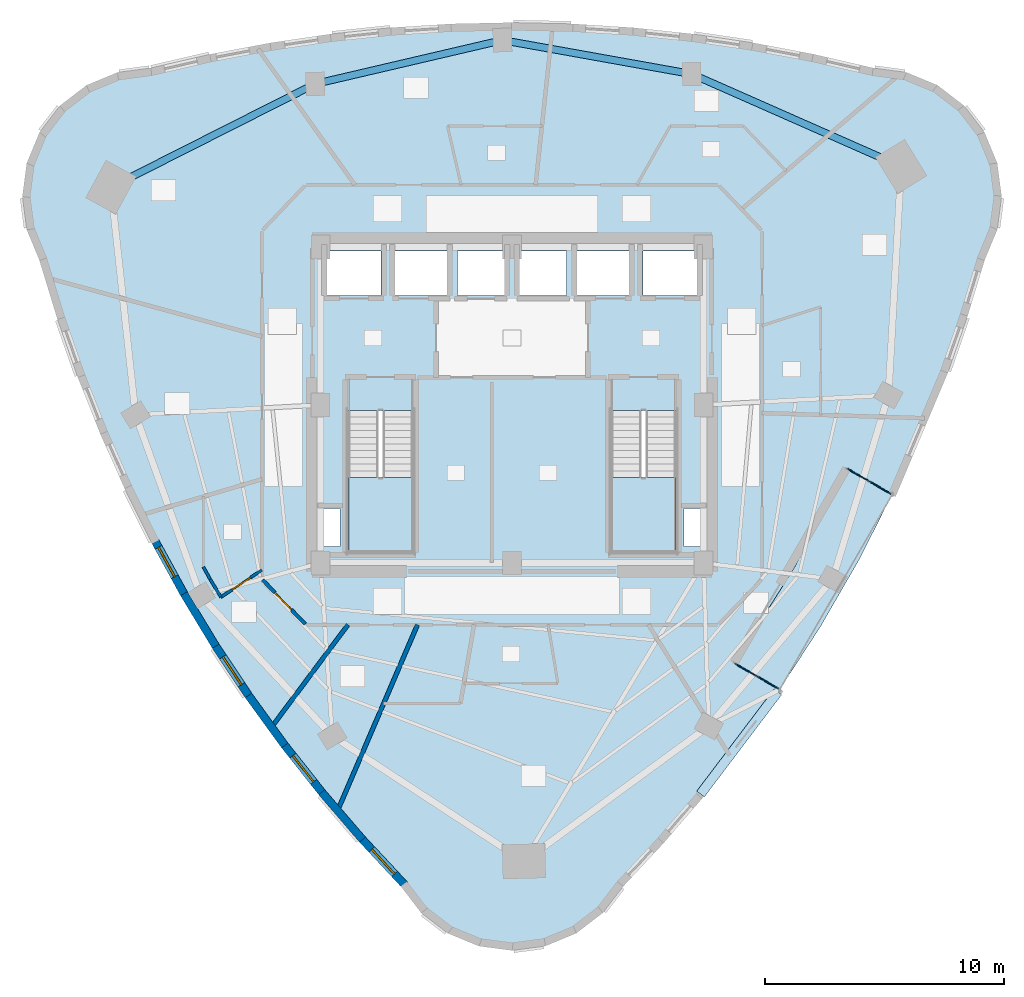
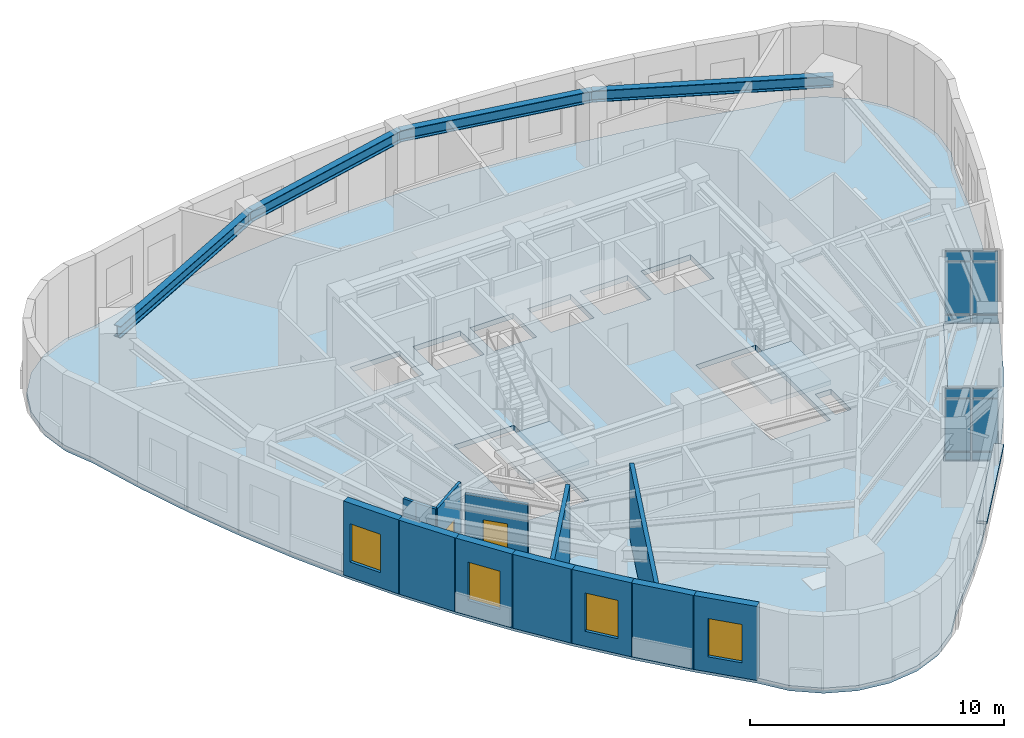
# One storey, part 5 of 12: 13 plates, 13 walls, 4 beams, 4 slabs, 4 windows, 2 doors, 6 openings, 4 elements without a shape of their own.
"""IFC4 building model written with IfcOpenShell, lengths in metres."""

from ifc_helpers import new_model, si_unit, direction, frame, frame_2d, origin, origin_2d, place, context, subcontext, project, spatial, polyline, rectangle, i_section, outline, extrude, material, layer, layer_set, material_profile, profile_set, type_object, element, fill, aggregate, save


model = new_model("IFC4")

# Units and contexts
model_context = context("Model", 3, precision=1e-05, world=origin(), true_north=direction((0.0, 1.0)))
body_context = subcontext(model_context, "Body", "Model", "MODEL_VIEW")
ifc_project = project(units=[si_unit("LENGTHUNIT", "METRE"), si_unit("AREAUNIT", "SQUARE_METRE"), si_unit("VOLUMEUNIT", "CUBIC_METRE"), si_unit("PLANEANGLEUNIT", "RADIAN"), si_unit("MASSUNIT", "GRAM", prefix="KILO")], contexts=[model_context])

# Site, building, storey
site_placement = place(None, origin())
site = spatial("IfcSite", under=ifc_project, at=site_placement, CompositionType="ELEMENT")
building_placement = place(site_placement, origin())
building = spatial("IfcBuilding", under=site, at=building_placement, Name="Ndelora Gate Hotel", CompositionType="ELEMENT")
storey_placement = place(building_placement, frame((0.0, 0.0, 209.35009765625)))
storey = spatial("IfcBuildingStorey", under=building, at=storey_placement, Name="L52", CompositionType="ELEMENT", Elevation=209.35009765625)

# Beams
ifc_material_1 = material(Name="Steel S355", Category="steel")
ifc_material_profile = material_profile(ifc_material_1, i_section(OverallWidth=0.300048828125, OverallDepth=0.550048828125, WebThickness=0.014892578125, FlangeThickness=0.029052734375, FilletRadius=0.027099609375, at=origin_2d()), Name="HEB 550")
ifc_profile_set = profile_set([ifc_material_profile], Name="Steel S355")
beam_type = type_object("IfcBeamType", Name="BM-RING-550", PredefinedType="SPANDREL", material=ifc_profile_set)
beam_1_placement = place(storey_placement, frame((16.26025390625, 9.96435546875, 3.27490234375), z_axis=(-0.914807449647, 0.403890245078, 0.0), x_axis=(-0.403890245078, -0.914807449647, 0.0)))
element("IfcBeam", 1, at=beam_1_placement, inside=storey, type_object=beam_type, Name="L52 Perimeter Spandrel Girder 9", PredefinedType="SPANDREL", context=body_context, shape_type="SweptSolid", body=[
    extrude(i_section(OverallWidth=0.300048828125, OverallDepth=0.550048828125, WebThickness=0.014892578125, FlangeThickness=0.029052734375, FilletRadius=0.027099609375, at=origin_2d()), origin(), (0.0, 0.0, 1.0), 9.56689453125),
])
for number, where, z_axis, x_axis, name in (
    (2, (7.50830078125, 13.828369140625, 3.27490234375), (-0.984373619655, 0.176092523767, 0.0), (-0.176092523767, -0.984373619655, 0.0), "L52 Perimeter Spandrel Girder 10"),
    (3, (-0.399169921875, 15.242919921875, 3.27490234375), (-0.973809142107, -0.227367004529, 0.0), (0.227367004529, -0.973809142107, 0.0), "L52 Perimeter Spandrel Girder 11"),
):
    element("IfcBeam", number, at=place(storey_placement, frame(where, z_axis=z_axis, x_axis=x_axis)), inside=storey, type_object=beam_type, Name=name, PredefinedType="SPANDREL", context=body_context, shape_type="SweptSolid", body=[
        extrude(i_section(OverallWidth=0.300048828125, OverallDepth=0.550048828125, WebThickness=0.014892578125, FlangeThickness=0.029052734375, FilletRadius=0.027099609375, at=origin_2d()), origin(), (0.0, 0.0, 1.0), 8.032958984375),
    ])
beam_2_placement = place(storey_placement, frame((-8.2216796875, 13.41650390625, 3.27490234375), z_axis=(-0.89241242978, -0.451220628045, 0.0), x_axis=(0.451220628045, -0.89241242978, 0.0)))
element("IfcBeam", 4, at=beam_2_placement, inside=storey, type_object=beam_type, Name="L52 Perimeter Spandrel Girder 12", PredefinedType="SPANDREL", context=body_context, shape_type="SweptSolid", body=[
    extrude(i_section(OverallWidth=0.300048828125, OverallDepth=0.550048828125, WebThickness=0.014892578125, FlangeThickness=0.029052734375, FilletRadius=0.027099609375, at=origin_2d()), origin(), (0.0, 0.0, 1.0), 9.567138671875),
])

# Curtain wall, plates
ifc_material_2 = material(Name="Bronze Anodised Unitised Aluminium and Low-E Glass", Category="aluminium")
ifc_layer_1 = layer(ifc_material_2, 0.199951171875)
ifc_layer_set_1 = layer_set([ifc_layer_1], Name="Bronze Anodised Unitised Aluminium and Low-E Glass")
curtain_wall_type = type_object("IfcCurtainWallType", Name="CW-SYS-3", PredefinedType="NOTDEFINED", material=ifc_layer_set_1)
curtain_wall_1_placement = place(storey_placement, origin())
curtain_wall_1 = element("IfcCurtainWall", 5, at=curtain_wall_1_placement, inside=storey, type_object=curtain_wall_type, Name="L52 Sky-Garden Loggia Side Curtain Wall CW3-1", PredefinedType="NOTDEFINED")
ifc_material_3 = material(Name="Solar-Control Low-E Insulated Glazing", Category="glass")
ifc_layer_2 = layer(ifc_material_3, 0.048095703125)
ifc_layer_set_2 = layer_set([ifc_layer_2], Name="Solar-Control Low-E Insulated Glazing")
plate_type_1 = type_object("IfcPlateType", Name="PL-CW-GLZ36", PredefinedType="CURTAIN_PANEL", material=ifc_layer_set_2)
plate_1_placement = place(storey_placement, frame((9.77099609375, -11.068359375, 0.05908203125), z_axis=(0.0, 0.0, 1.0), x_axis=(0.866030416344, -0.499991317892, 0.0)))
plate_1 = element("IfcPlate", 6, at=plate_1_placement, type_object=plate_type_1, Name="CW3 panel 1.1", PredefinedType="CURTAIN_PANEL", context=body_context, shape_type="SweptSolid", body=[
    extrude(rectangle(XDim=1.014404296875, YDim=0.048095703125, at=origin_2d()), origin(), (0.0, 0.0, 1.0), 0.364501953125),
])
plate_2_placement = place(storey_placement, frame((9.77099609375, -11.068359375, 0.476318359375), z_axis=(0.0, 0.0, 1.0), x_axis=(0.866030416344, -0.499991317892, 0.0)))
plate_2 = element("IfcPlate", 7, at=plate_2_placement, type_object=plate_type_1, Name="CW3 panel 1.2", PredefinedType="CURTAIN_PANEL", context=body_context, shape_type="SweptSolid", body=[
    extrude(rectangle(XDim=1.014404296875, YDim=0.048095703125, at=origin_2d()), origin(), (0.0, 0.0, 1.0), 2.4970703125),
])
plate_3_placement = place(storey_placement, frame((9.77099609375, -11.068359375, 3.0263671875), z_axis=(0.0, 0.0, 1.0), x_axis=(0.866030416344, -0.499991317892, 0.0)))
plate_3 = element("IfcPlate", 8, at=plate_3_placement, type_object=plate_type_1, Name="CW3 panel 1.3", PredefinedType="CURTAIN_PANEL", context=body_context, shape_type="SweptSolid", body=[
    extrude(rectangle(XDim=1.014404296875, YDim=0.048095703125, at=origin_2d()), origin(), (0.0, 0.0, 1.0), 0.464599609375),
])
plate_4_placement = place(storey_placement, frame((10.695556640625, -11.602294921875, 0.05908203125), z_axis=(0.0, 0.0, 1.0), x_axis=(0.866030416344, -0.499991317892, 0.0)))
plate_4 = element("IfcPlate", 9, at=plate_4_placement, type_object=plate_type_1, Name="CW3 panel 2.1", PredefinedType="CURTAIN_PANEL", context=body_context, shape_type="SweptSolid", body=[
    extrude(rectangle(XDim=1.014404296875, YDim=0.048095703125, at=origin_2d()), origin(), (0.0, 0.0, 1.0), 0.364501953125),
])
plate_5_placement = place(storey_placement, frame((10.695556640625, -11.602294921875, 0.476318359375), z_axis=(0.0, 0.0, 1.0), x_axis=(0.866030416344, -0.499991317892, 0.0)))
plate_5 = element("IfcPlate", 10, at=plate_5_placement, type_object=plate_type_1, Name="CW3 panel 2.2", PredefinedType="CURTAIN_PANEL", context=body_context, shape_type="SweptSolid", body=[
    extrude(rectangle(XDim=1.014404296875, YDim=0.048095703125, at=origin_2d()), origin(), (0.0, 0.0, 1.0), 2.4970703125),
])
plate_6_placement = place(storey_placement, frame((10.695556640625, -11.602294921875, 3.0263671875), z_axis=(0.0, 0.0, 1.0), x_axis=(0.866030416344, -0.499991317892, 0.0)))
plate_6 = element("IfcPlate", 11, at=plate_6_placement, type_object=plate_type_1, Name="CW3 panel 2.3", PredefinedType="CURTAIN_PANEL", context=body_context, shape_type="SweptSolid", body=[
    extrude(rectangle(XDim=1.014404296875, YDim=0.048095703125, at=origin_2d()), origin(), (0.0, 0.0, 1.0), 0.464599609375),
])
aggregate(curtain_wall_1, [plate_1, plate_2, plate_3, plate_4, plate_5, plate_6])

curtain_wall_2_placement = place(storey_placement, origin())
curtain_wall_2 = element("IfcCurtainWall", 12, at=curtain_wall_2_placement, inside=storey, type_object=curtain_wall_type, Name="L52 Sky-Garden Loggia Side Curtain Wall CW3-2", PredefinedType="NOTDEFINED")
plate_7_placement = place(storey_placement, frame((15.3955078125, -3.46142578125, 0.05908203125), z_axis=(0.0, 0.0, 1.0), x_axis=(-0.866030416344, 0.499991317892, 0.0)))
plate_7 = element("IfcPlate", 13, at=plate_7_placement, type_object=plate_type_1, Name="CW3 panel 1.1", PredefinedType="CURTAIN_PANEL", context=body_context, shape_type="SweptSolid", body=[
    extrude(rectangle(XDim=1.014404296875, YDim=0.048095703125, at=origin_2d()), origin(), (0.0, 0.0, 1.0), 0.364501953125),
])
plate_8_placement = place(storey_placement, frame((15.3955078125, -3.46142578125, 0.476318359375), z_axis=(0.0, 0.0, 1.0), x_axis=(-0.866030416344, 0.499991317892, 0.0)))
plate_8 = element("IfcPlate", 14, at=plate_8_placement, type_object=plate_type_1, Name="CW3 panel 1.2", PredefinedType="CURTAIN_PANEL", context=body_context, shape_type="SweptSolid", body=[
    extrude(rectangle(XDim=1.014404296875, YDim=0.048095703125, at=origin_2d()), origin(), (0.0, 0.0, 1.0), 2.4970703125),
])
plate_9_placement = place(storey_placement, frame((15.3955078125, -3.46142578125, 3.0263671875), z_axis=(0.0, 0.0, 1.0), x_axis=(-0.866030416344, 0.499991317892, 0.0)))
plate_9 = element("IfcPlate", 15, at=plate_9_placement, type_object=plate_type_1, Name="CW3 panel 1.3", PredefinedType="CURTAIN_PANEL", context=body_context, shape_type="SweptSolid", body=[
    extrude(rectangle(XDim=1.014404296875, YDim=0.048095703125, at=origin_2d()), origin(), (0.0, 0.0, 1.0), 0.464599609375),
])
plate_10_placement = place(storey_placement, frame((14.470947265625, -2.927734375, 0.05908203125), z_axis=(0.0, 0.0, 1.0), x_axis=(-0.866030416344, 0.499991317892, 0.0)))
plate_10 = element("IfcPlate", 16, at=plate_10_placement, type_object=plate_type_1, Name="CW3 panel 2.1", PredefinedType="CURTAIN_PANEL", context=body_context, shape_type="SweptSolid", body=[
    extrude(rectangle(XDim=1.014404296875, YDim=0.048095703125, at=origin_2d()), origin(), (0.0, 0.0, 1.0), 0.364501953125),
])
plate_11_placement = place(storey_placement, frame((14.470947265625, -2.927734375, 0.476318359375), z_axis=(0.0, 0.0, 1.0), x_axis=(-0.866030416344, 0.499991317892, 0.0)))
plate_11 = element("IfcPlate", 17, at=plate_11_placement, type_object=plate_type_1, Name="CW3 panel 2.2", PredefinedType="CURTAIN_PANEL", context=body_context, shape_type="SweptSolid", body=[
    extrude(rectangle(XDim=1.014404296875, YDim=0.048095703125, at=origin_2d()), origin(), (0.0, 0.0, 1.0), 2.4970703125),
])
plate_12_placement = place(storey_placement, frame((14.470947265625, -2.927734375, 3.0263671875), z_axis=(0.0, 0.0, 1.0), x_axis=(-0.866030416344, 0.499991317892, 0.0)))
plate_12 = element("IfcPlate", 18, at=plate_12_placement, type_object=plate_type_1, Name="CW3 panel 2.3", PredefinedType="CURTAIN_PANEL", context=body_context, shape_type="SweptSolid", body=[
    extrude(rectangle(XDim=1.014404296875, YDim=0.048095703125, at=origin_2d()), origin(), (0.0, 0.0, 1.0), 0.464599609375),
])
aggregate(curtain_wall_2, [plate_7, plate_8, plate_9, plate_10, plate_11, plate_12])

# Plate
ifc_material_4 = material(Name="Precast concrete C40/50", Category="concrete")
ifc_layer_3 = layer(ifc_material_4, 0.125)
ifc_layer_set_3 = layer_set([ifc_layer_3], Name="Precast concrete C40/50")
plate_type_2 = type_object("IfcPlateType", Name="PL-SILL-120", PredefinedType="USERDEFINED", material=ifc_layer_set_3)
plate_13_placement = place(storey_placement, frame((9.494384765625, -14.120849609375, 0.787353515625), z_axis=(0.0, 0.0, 1.0), x_axis=(0.603347183213, 0.797478637023, 0.0)))
element("IfcPlate", 19, at=plate_13_placement, inside=storey, type_object=plate_type_2, Name="L52 Streamline Precast Ribbon Sill 31", ObjectType="RIBBON_SILL", PredefinedType="USERDEFINED", context=body_context, shape_type="SweptSolid", body=[
    extrude(rectangle(XDim=5.35693359375, YDim=0.39990234375, at=origin_2d()), origin(), (0.0, 0.0, 1.0), 0.125),
])

# Stair, slab
stair_type = type_object("IfcStairType", Name="STR-DOG-CORE", PredefinedType="HALF_TURN_STAIR", material=ifc_material_4)
stair_1_placement = place(storey_placement, origin())
stair_1 = element("IfcStair", 20, at=stair_1_placement, inside=storey, type_object=stair_type, Name="L52 Protected Core Exit Stair ST4", PredefinedType="HALF_TURN_STAIR")
ifc_layer_4 = layer(ifc_material_4, 0.219970703125)
ifc_layer_set_4 = layer_set([ifc_layer_4], Name="Precast concrete C40/50")
slab_type_1 = type_object("IfcSlabType", Name="SL-LAND-220", PredefinedType="LANDING", material=ifc_layer_set_4)
slab_1_placement = place(storey_placement, frame((0.0, 0.0, 1.699951171875)))
slab_1 = element("IfcSlab", 21, at=slab_1_placement, type_object=slab_type_1, Name="ST4 landing 1", PredefinedType="LANDING", context=body_context, shape_type="SweptSolid", body=[
    extrude(outline(polyline([(-6.85009765625, -3.030029296875), (-6.85009765625, -6.14990234375), (-4.1298828125, -6.14990234375), (-4.1298828125, -3.030029296875), (-6.85009765625, -3.030029296875)])), origin(), (0.0, 0.0, 1.0), 0.199951171875),
])
aggregate(stair_1, [slab_1])

stair_2_placement = place(storey_placement, origin())
stair_2 = element("IfcStair", 22, at=stair_2_placement, inside=storey, type_object=stair_type, Name="L52 Protected Core Exit Stair ST5", PredefinedType="HALF_TURN_STAIR")
slab_2_placement = place(storey_placement, frame((0.0, 0.0, 1.699951171875)))
slab_2 = element("IfcSlab", 23, at=slab_2_placement, type_object=slab_type_1, Name="ST5 landing 1", PredefinedType="LANDING", context=body_context, shape_type="SweptSolid", body=[
    extrude(outline(polyline([(4.1298828125, -3.030029296875), (4.1298828125, -6.14990234375), (6.85009765625, -6.14990234375), (6.85009765625, -3.030029296875), (4.1298828125, -3.030029296875)])), origin(), (0.0, 0.0, 1.0), 0.199951171875),
])
aggregate(stair_2, [slab_2])

# Slabs
ifc_layer_5 = layer(ifc_material_4, 0.239990234375)
ifc_layer_set_5 = layer_set([ifc_layer_5], Name="Precast concrete C40/50")
slab_type_2 = type_object("IfcSlabType", Name="SL-TER-240", PredefinedType="FLOOR", material=ifc_layer_set_5)
slab_3_placement = place(storey_placement, frame((0.0, 0.0, -0.239990234375)))
element("IfcSlab", 24, at=slab_3_placement, inside=storey, type_object=slab_type_2, Name="L52 Sky Garden Loggia Terrace Slab", PredefinedType="FLOOR", context=body_context, shape_type="SweptSolid", body=[
    extrude(outline(polyline([(9.280517578125, -10.785400390625), (11.185791015625, -11.88525390625), (12.8779296875, -9.2802734375), (14.47607421875, -6.512451171875), (15.885986328125, -3.74462890625), (13.980712890625, -2.64453125), (11.790283203125, -6.80712890625), (9.280517578125, -10.785400390625)])), origin(), (0.0, 0.0, 1.0), 0.239990234375),
])
ifc_material_5 = material(Name="Concrete C40/50", Category="concrete")
ifc_layer_6 = layer(ifc_material_5, 0.25)
ifc_layer_set_6 = layer_set([ifc_layer_6], Name="Concrete C40/50")
slab_type_3 = type_object("IfcSlabType", Name="SL-TWR-250", PredefinedType="FLOOR", material=ifc_layer_set_6)
slab_4_placement = place(storey_placement, frame((0.0, 0.0, -0.25)))
element("IfcSlab", 25, at=slab_4_placement, inside=storey, type_object=slab_type_3, Name="L52 Structural Floor Slab", PredefinedType="FLOOR", context=body_context, shape_type="SweptSolid", body=[
    extrude(outline(polyline([(-15.09326171875, 13.9140625), (-16.439208984375, 13.737060546875), (-17.693359375, 13.217529296875), (-18.770263671875, 12.39111328125), (-19.5966796875, 11.314208984375), (-20.1162109375, 10.06005859375), (-20.293212890625, 8.714111328125), (-20.1162109375, 7.368408203125), (-19.5966796875, 6.114013671875), (-18.841796875, 3.645263671875), (-17.9951171875, 1.229248046875), (-17.057373046875, -1.134033203125), (-16.0283203125, -3.4443359375), (-14.907470703125, -5.7021484375), (-13.6953125, -7.906982421875), (-12.39208984375, -10.05908203125), (-10.9970703125, -12.15869140625), (-9.5107421875, -14.205078125), (-7.93310546875, -16.198974609375), (-6.263916015625, -18.139892578125), (-4.50341796875, -20.0283203125), (-3.677001953125, -21.105224609375), (-2.60009765625, -21.931640625), (-1.345947265625, -22.451171875), (0.0, -22.62841796875), (1.345947265625, -22.451171875), (2.60009765625, -21.931640625), (3.677001953125, -21.105224609375), (4.50341796875, -20.0283203125), (6.1953125, -18.216552734375), (7.802978515625, -16.356201171875), (11.185791015625, -11.88525390625), (9.280517578125, -10.785400390625), (11.790283203125, -6.80712890625), (13.980712890625, -2.64453125), (15.885986328125, -3.74462890625), (18.06640625, 1.420654296875), (18.87353515625, 3.7431640625), (19.5966796875, 6.114013671875), (20.1162109375, 7.368408203125), (20.293212890625, 8.714111328125), (20.1162109375, 10.06005859375), (19.5966796875, 11.314208984375), (18.770263671875, 12.39111328125), (17.693359375, 13.217529296875), (16.439208984375, 13.737060546875), (15.09326171875, 13.9140625), (12.577880859375, 14.49462890625), (10.062255859375, 14.9697265625), (7.546630859375, 15.339111328125), (5.031005859375, 15.60302734375), (2.515625, 15.761474609375), (0.0, 15.814208984375), (-2.515625, 15.761474609375), (-5.031005859375, 15.60302734375), (-7.546630859375, 15.339111328125), (-10.062255859375, 14.9697265625), (-12.577880859375, 14.49462890625), (-15.09326171875, 13.9140625)]), holes=[polyline([(-6.85009765625, -0.22998046875), (-6.85009765625, -6.14990234375), (-4.1298828125, -6.14990234375), (-4.1298828125, -0.22998046875), (-6.85009765625, -0.22998046875)]), polyline([(4.1298828125, -0.22998046875), (4.1298828125, -6.14990234375), (6.85009765625, -6.14990234375), (6.85009765625, -0.22998046875), (4.1298828125, -0.22998046875)]), polyline([(-7.72998046875, 4.570068359375), (-5.469970703125, 4.570068359375), (-5.469970703125, 6.429931640625), (-7.72998046875, 6.429931640625), (-7.72998046875, 4.570068359375)]), polyline([(5.469970703125, 4.570068359375), (7.72998046875, 4.570068359375), (7.72998046875, 6.429931640625), (5.469970703125, 6.429931640625), (5.469970703125, 4.570068359375)]), polyline([(-4.8798828125, 4.570068359375), (-2.719970703125, 4.570068359375), (-2.719970703125, 6.429931640625), (-4.8798828125, 6.429931640625), (-4.8798828125, 4.570068359375)]), polyline([(2.719970703125, 4.570068359375), (4.8798828125, 4.570068359375), (4.8798828125, 6.429931640625), (2.719970703125, 6.429931640625), (2.719970703125, 4.570068359375)]), polyline([(-2.280029296875, 4.570068359375), (-0.320068359375, 4.570068359375), (-0.320068359375, 6.429931640625), (-2.280029296875, 6.429931640625), (-2.280029296875, 4.570068359375)]), polyline([(0.320068359375, 4.570068359375), (2.280029296875, 4.570068359375), (2.280029296875, 6.429931640625), (0.320068359375, 6.429931640625), (0.320068359375, 4.570068359375)]), polyline([(-7.89990234375, -5.919921875), (-7.179931640625, -5.919921875), (-7.179931640625, -4.320068359375), (-7.89990234375, -4.320068359375), (-7.89990234375, -5.919921875)]), polyline([(7.179931640625, -5.919921875), (7.89990234375, -5.919921875), (7.89990234375, -4.320068359375), (7.179931640625, -4.320068359375), (7.179931640625, -5.919921875)])]), origin(), (0.0, 0.0, 1.0), 0.25),
])

# Walls
ifc_material_6 = material(Name="Acoustic Double-Stud Gypsum Assembly", Category="gypsum")
ifc_layer_7 = layer(ifc_material_6, 0.179931640625)
ifc_layer_set_7 = layer_set([ifc_layer_7], Name="Acoustic Double-Stud Gypsum Assembly")
wall_type_1 = type_object("IfcWallType", Name="WL-ACOUST-180", PredefinedType="PARTITIONING", material=ifc_layer_set_7)
wall_1_placement = place(storey_placement, frame((-6.851318359375, -9.179931640625, 0.0), z_axis=(0.0, 0.0, 1.0), x_axis=(-0.598105864396, -0.801417104244, 0.0)))
element("IfcWall", 26, at=wall_1_placement, inside=storey, type_object=wall_type_1, Name="L52 Interior Wall IW-3", PredefinedType="PARTITIONING", context=body_context, shape_type="SweptSolid", body=[
    extrude(rectangle(XDim=5.345947265625, YDim=0.179931640625, at=frame_2d((2.6728515625, 0.0))), origin(), (0.0, 0.0, 1.0), 3.5498046875),
])
wall_2_placement = place(storey_placement, frame((-3.947021484375, -9.179931640625, 0.0), z_axis=(0.0, 0.0, 1.0), x_axis=(-0.394985116266, -0.918687519197, 0.0)))
element("IfcWall", 27, at=wall_2_placement, inside=storey, type_object=wall_type_1, Name="L52 Interior Wall IW-3", PredefinedType="PARTITIONING", context=body_context, shape_type="SweptSolid", body=[
    extrude(rectangle(XDim=8.45751953125, YDim=0.179931640625, at=frame_2d((4.228759765625, 0.0))), origin(), (0.0, 0.0, 1.0), 3.5498046875),
])

# Wall, opening, window
ifc_material_7 = material(Name="Clay Brick Masonry", Category="masonry")
ifc_layer_8 = layer(ifc_material_7, 0.330078125)
ifc_layer_set_8 = layer_set([ifc_layer_8], Name="Clay Brick Masonry")
wall_type_2 = type_object("IfcWallType", Name="WL-BRICK-330", PredefinedType="SOLIDWALL", material=ifc_layer_set_8)
wall_3_placement = place(storey_placement, frame((-13.683349609375, -7.928955078125, 0.0), z_axis=(0.0, 0.0, 1.0), x_axis=(-0.481695948565, 0.87633841245, 0.0)))
wall_3 = element("IfcWall", 28, at=wall_3_placement, inside=storey, type_object=wall_type_2, Name="L52 Tower Brick Pier-and-Spandrel Wall TWR-14", PredefinedType="SOLIDWALL", context=body_context, shape_type="SweptSolid", body=[
    extrude(rectangle(XDim=2.566162109375, YDim=0.330078125, at=frame_2d((1.283203125, 0.0))), origin(), (0.0, 0.0, 1.0), 3.5498046875),
])
opening_1_placement = place(wall_3_placement, frame((0.860107421875, 0.0, 0.719970703125)))
opening_1 = element("IfcOpeningElement", 29, at=opening_1_placement, cuts=wall_3, Name="Opening W02", PredefinedType="OPENING", context=body_context, shape_type="SweptSolid", body=[
    extrude(rectangle(XDim=1.39990234375, YDim=1.840087890625, at=frame_2d((0.699951171875, 0.919921875))), frame((0.0, 0.175048828125, 0.0), z_axis=(0.0, -1.0, 0.0), x_axis=(1.0, 0.0, 0.0)), (0.0, 0.0, 1.0), 0.35009765625),
])
ifc_material_8 = material(Name="Insulated Low-E Double Glazing in Bronze Aluminium Frame", Category="aluminium")
window_type = type_object("IfcWindowType", Name="WN-DEEP-1400", PartitioningType="SINGLE_PANEL", PredefinedType="WINDOW", material=ifc_material_8)
window_1_placement = place(opening_1_placement, origin())
window_1 = element("IfcWindow", 30, at=window_1_placement, inside=storey, type_object=window_type, Name="L52 Deep-Set Brick-Pier Window W02", OverallHeight=1.840087890625, OverallWidth=1.39990234375, PartitioningType="SINGLE_PANEL", PredefinedType="WINDOW", context=body_context, shape_type="SweptSolid", body=[
    extrude(rectangle(XDim=1.39990234375, YDim=1.840087890625, at=frame_2d((0.699951171875, 0.919921875))), frame((0.0, 0.030029296875, 0.0), z_axis=(0.0, -1.0, 0.0), x_axis=(1.0, 0.0, 0.0)), (0.0, 0.0, 1.0), 0.06005859375),
])
fill(opening_1, window_1)

# Wall
wall_4_placement = place(storey_placement, frame((-12.37890625, -10.08056640625, 0.0), z_axis=(0.0, 0.0, 1.0), x_axis=(-0.518128806216, 0.855302601521, 0.0)))
element("IfcWall", 31, at=wall_4_placement, inside=storey, type_object=wall_type_2, Name="L52 Tower Brick Pier-and-Spandrel Wall TWR-15", PredefinedType="SOLIDWALL", context=body_context, shape_type="SweptSolid", body=[
    extrude(rectangle(XDim=2.566162109375, YDim=0.330078125, at=frame_2d((1.283203125, 0.0))), origin(), (0.0, 0.0, 1.0), 3.5498046875),
])

# Wall, opening, window
wall_5_placement = place(storey_placement, frame((-10.9833984375, -12.179443359375, 0.0), z_axis=(0.0, 0.0, 1.0), x_axis=(-0.553340543582, 0.832955126539, 0.0)))
wall_5 = element("IfcWall", 32, at=wall_5_placement, inside=storey, type_object=wall_type_2, Name="L52 Tower Brick Pier-and-Spandrel Wall TWR-16", PredefinedType="SOLIDWALL", context=body_context, shape_type="SweptSolid", body=[
    extrude(rectangle(XDim=2.570556640625, YDim=0.330078125, at=frame_2d((1.28515625, 0.0))), origin(), (0.0, 0.0, 1.0), 3.5498046875),
])
opening_2_placement = place(wall_5_placement, frame((0.585205078125, 0.0, 0.719970703125)))
opening_2 = element("IfcOpeningElement", 33, at=opening_2_placement, cuts=wall_5, Name="Opening W02", PredefinedType="OPENING", context=body_context, shape_type="SweptSolid", body=[
    extrude(rectangle(XDim=1.39990234375, YDim=1.840087890625, at=frame_2d((0.699951171875, 0.919921875))), frame((0.0, 0.175048828125, 0.0), z_axis=(0.0, -1.0, 0.0), x_axis=(1.0, 0.0, 0.0)), (0.0, 0.0, 1.0), 0.35009765625),
])
window_2_placement = place(opening_2_placement, origin())
window_2 = element("IfcWindow", 34, at=window_2_placement, inside=storey, type_object=window_type, Name="L52 Deep-Set Brick-Pier Window W02", OverallHeight=1.840087890625, OverallWidth=1.39990234375, PartitioningType="SINGLE_PANEL", PredefinedType="WINDOW", context=body_context, shape_type="SweptSolid", body=[
    extrude(rectangle(XDim=1.39990234375, YDim=1.840087890625, at=frame_2d((0.699951171875, 0.919921875))), frame((0.0, 0.030029296875, 0.0), z_axis=(0.0, -1.0, 0.0), x_axis=(1.0, 0.0, 0.0)), (0.0, 0.0, 1.0), 0.06005859375),
])
fill(opening_2, window_2)

# Wall
wall_6_placement = place(storey_placement, frame((-9.49609375, -14.225341796875, 0.0), z_axis=(0.0, 0.0, 1.0), x_axis=(-0.587631253471, 0.809128858677, 0.0)))
element("IfcWall", 35, at=wall_6_placement, inside=storey, type_object=wall_type_2, Name="L52 Tower Brick Pier-and-Spandrel Wall TWR-17", PredefinedType="SOLIDWALL", context=body_context, shape_type="SweptSolid", body=[
    extrude(rectangle(XDim=2.5791015625, YDim=0.330078125, at=frame_2d((1.28955078125, 0.0))), origin(), (0.0, 0.0, 1.0), 3.5498046875),
])

# Wall, opening, window
wall_7_placement = place(storey_placement, frame((-7.91748046875, -16.218505859375, 0.0), z_axis=(0.0, 0.0, 1.0), x_axis=(-0.62057509915, 0.784147018304, 0.0)))
wall_7 = element("IfcWall", 36, at=wall_7_placement, inside=storey, type_object=wall_type_2, Name="L52 Tower Brick Pier-and-Spandrel Wall TWR-18", PredefinedType="SOLIDWALL", context=body_context, shape_type="SweptSolid", body=[
    extrude(rectangle(XDim=2.592529296875, YDim=0.330078125, at=frame_2d((1.29638671875, 0.0))), origin(), (0.0, 0.0, 1.0), 3.5498046875),
])
opening_3_placement = place(wall_7_placement, frame((0.59619140625, 0.0, 0.719970703125)))
opening_3 = element("IfcOpeningElement", 37, at=opening_3_placement, cuts=wall_7, Name="Opening W02", PredefinedType="OPENING", context=body_context, shape_type="SweptSolid", body=[
    extrude(rectangle(XDim=1.39990234375, YDim=1.840087890625, at=frame_2d((0.699951171875, 0.919921875))), frame((0.0, 0.175048828125, 0.0), z_axis=(0.0, -1.0, 0.0), x_axis=(1.0, 0.0, 0.0)), (0.0, 0.0, 1.0), 0.35009765625),
])
window_3_placement = place(opening_3_placement, origin())
window_3 = element("IfcWindow", 38, at=window_3_placement, inside=storey, type_object=window_type, Name="L52 Deep-Set Brick-Pier Window W02", OverallHeight=1.840087890625, OverallWidth=1.39990234375, PartitioningType="SINGLE_PANEL", PredefinedType="WINDOW", context=body_context, shape_type="SweptSolid", body=[
    extrude(rectangle(XDim=1.39990234375, YDim=1.840087890625, at=frame_2d((0.699951171875, 0.919921875))), frame((0.0, 0.030029296875, 0.0), z_axis=(0.0, -1.0, 0.0), x_axis=(1.0, 0.0, 0.0)), (0.0, 0.0, 1.0), 0.06005859375),
])
fill(opening_3, window_3)

# Wall
wall_8_placement = place(storey_placement, frame((-6.24755859375, -18.158935546875, 0.0), z_axis=(0.0, 0.0, 1.0), x_axis=(-0.651976891987, 0.758238835932, 0.0)))
element("IfcWall", 39, at=wall_8_placement, inside=storey, type_object=wall_type_2, Name="L52 Tower Brick Pier-and-Spandrel Wall TWR-19", PredefinedType="SOLIDWALL", context=body_context, shape_type="SweptSolid", body=[
    extrude(rectangle(XDim=2.610107421875, YDim=0.330078125, at=frame_2d((1.30517578125, 0.0))), origin(), (0.0, 0.0, 1.0), 3.5498046875),
])

# Wall, opening, window
wall_9_placement = place(storey_placement, frame((-4.486328125, -20.046630859375, 0.0), z_axis=(0.0, 0.0, 1.0), x_axis=(-0.68190500199, 0.731440748291, 0.0)))
wall_9 = element("IfcWall", 40, at=wall_9_placement, inside=storey, type_object=wall_type_2, Name="L52 Tower Brick Pier-and-Spandrel Wall TWR-20", PredefinedType="SOLIDWALL", context=body_context, shape_type="SweptSolid", body=[
    extrude(rectangle(XDim=2.6318359375, YDim=0.330078125, at=frame_2d((1.31591796875, 0.0))), origin(), (0.0, 0.0, 1.0), 3.5498046875),
])
opening_4_placement = place(wall_9_placement, frame((0.615966796875, 0.0, 0.719970703125)))
opening_4 = element("IfcOpeningElement", 41, at=opening_4_placement, cuts=wall_9, Name="Opening W02", PredefinedType="OPENING", context=body_context, shape_type="SweptSolid", body=[
    extrude(rectangle(XDim=1.39990234375, YDim=1.840087890625, at=frame_2d((0.699951171875, 0.919921875))), frame((0.0, 0.175048828125, 0.0), z_axis=(0.0, -1.0, 0.0), x_axis=(1.0, 0.0, 0.0)), (0.0, 0.0, 1.0), 0.35009765625),
])
window_4_placement = place(opening_4_placement, origin())
window_4 = element("IfcWindow", 42, at=window_4_placement, inside=storey, type_object=window_type, Name="L52 Deep-Set Brick-Pier Window W02", OverallHeight=1.840087890625, OverallWidth=1.39990234375, PartitioningType="SINGLE_PANEL", PredefinedType="WINDOW", context=body_context, shape_type="SweptSolid", body=[
    extrude(rectangle(XDim=1.39990234375, YDim=1.840087890625, at=frame_2d((0.699951171875, 0.919921875))), frame((0.0, 0.030029296875, 0.0), z_axis=(0.0, -1.0, 0.0), x_axis=(1.0, 0.0, 0.0)), (0.0, 0.0, 1.0), 0.06005859375),
])
fill(opening_4, window_4)

# Wall, opening, door
ifc_material_9 = material(Name="Fire-Rated Gypsum Stud Partition", Category="gypsum")
ifc_layer_9 = layer(ifc_material_9, 0.14990234375)
ifc_layer_set_9 = layer_set([ifc_layer_9], Name="Fire-Rated Gypsum Stud Partition")
wall_type_3 = type_object("IfcWallType", Name="WL-PART-150", PredefinedType="PARTITIONING", material=ifc_layer_set_9)
wall_10_placement = place(storey_placement, frame((-8.647705078125, -9.151123046875, 0.0), z_axis=(0.0, 0.0, 1.0), x_axis=(-0.693764562202, 0.720201869085, 0.0)))
wall_10 = element("IfcWall", 43, at=wall_10_placement, inside=storey, type_object=wall_type_3, Name="L52 Interior Wall IW-5", PredefinedType="PARTITIONING", context=body_context, shape_type="SweptSolid", body=[
    extrude(rectangle(XDim=2.55810546875, YDim=0.14990234375, at=frame_2d((1.279052734375, 0.0))), origin(), (0.0, 0.0, 1.0), 3.22998046875),
])
opening_5_placement = place(wall_10_placement, frame((0.819091796875, 0.0, 0.0)))
opening_5 = element("IfcOpeningElement", 44, at=opening_5_placement, cuts=wall_10, Name="Opening D01", PredefinedType="OPENING", context=body_context, shape_type="SweptSolid", body=[
    extrude(rectangle(XDim=1.0, YDim=2.14990234375, at=frame_2d((0.5, 1.074951171875))), frame((0.0, 0.0849609375, 0.0), z_axis=(0.0, -1.0, 0.0), x_axis=(1.0, 0.0, 0.0)), (0.0, 0.0, 1.0), 0.169921875),
])
ifc_material_10 = material(Name="Acoustic Hardwood Guest Entrance Door", Category="wood")
door_type_1 = type_object("IfcDoorType", Name="DR-COR-1000", OperationType="SINGLE_SWING_LEFT", PredefinedType="DOOR", material=ifc_material_10)
door_1_placement = place(opening_5_placement, origin())
door_1 = element("IfcDoor", 45, at=door_1_placement, inside=storey, type_object=door_type_1, Name="L52 Altitude King Guest Room 5505 Entrance Door", OperationType="SINGLE_SWING_RIGHT", OverallHeight=2.14990234375, OverallWidth=1.0, PredefinedType="DOOR", context=body_context, shape_type="SweptSolid", body=[
    extrude(rectangle(XDim=1.0, YDim=2.14990234375, at=frame_2d((0.5, 1.074951171875))), frame((0.0, 0.02490234375, 0.0), z_axis=(0.0, -1.0, 0.0), x_axis=(1.0, 0.0, 0.0)), (0.0, 0.0, 1.0), 0.050048828125),
])
fill(opening_5, door_1)

ifc_material_11 = material(Name="Moisture-Resistant Bathroom Tile Partition", Category="gypsum")
ifc_layer_10 = layer(ifc_material_11, 0.1201171875)
ifc_layer_set_10 = layer_set([ifc_layer_10], Name="Moisture-Resistant Bathroom Tile Partition")
wall_type_4 = type_object("IfcWallType", Name="WL-WET-120", PredefinedType="PARTITIONING", material=ifc_layer_set_10)
wall_11_placement = place(storey_placement, frame((-10.449951171875, -6.89794921875, 0.0), z_axis=(0.0, 0.0, 1.0), x_axis=(-0.834551377169, -0.550930121581, 0.0)))
wall_11 = element("IfcWall", 46, at=wall_11_placement, inside=storey, type_object=wall_type_4, Name="L52 Interior Wall IW-7", PredefinedType="PARTITIONING", context=body_context, shape_type="SweptSolid", body=[
    extrude(rectangle(XDim=2.050537109375, YDim=0.1201171875, at=frame_2d((1.025390625, 0.0))), origin(), (0.0, 0.0, 1.0), 3.5498046875),
])
opening_6_placement = place(wall_11_placement, frame((0.565185546875, 0.0, 0.0)))
opening_6 = element("IfcOpeningElement", 47, at=opening_6_placement, cuts=wall_11, Name="Opening D03", PredefinedType="OPENING", context=body_context, shape_type="SweptSolid", body=[
    extrude(rectangle(XDim=0.919921875, YDim=2.10009765625, at=frame_2d((0.4599609375, 1.050048828125))), frame((0.0, 0.070068359375, 0.0), z_axis=(0.0, -1.0, 0.0), x_axis=(1.0, 0.0, 0.0)), (0.0, 0.0, 1.0), 0.14013671875),
])
ifc_material_12 = material(Name="Moisture-Resistant Hardwood En-Suite Door", Category="wood")
door_type_2 = type_object("IfcDoorType", Name="DR-BATH-920", OperationType="SINGLE_SWING_LEFT", PredefinedType="DOOR", material=ifc_material_12)
door_2_placement = place(opening_6_placement, origin())
door_2 = element("IfcDoor", 48, at=door_2_placement, inside=storey, type_object=door_type_2, Name="L52 En-suite Bathroom 5505 Door", OperationType="SINGLE_SWING_RIGHT", OverallHeight=2.10009765625, OverallWidth=0.919921875, PredefinedType="DOOR", context=body_context, shape_type="SweptSolid", body=[
    extrude(rectangle(XDim=0.919921875, YDim=2.10009765625, at=frame_2d((0.4599609375, 1.050048828125))), frame((0.0, 0.02490234375, 0.0), z_axis=(0.0, -1.0, 0.0), x_axis=(1.0, 0.0, 0.0)), (0.0, 0.0, 1.0), 0.050048828125),
])
fill(opening_6, door_2)

# Walls
wall_12_placement = place(storey_placement, frame((-12.612548828125, -7.281982421875, 0.0), z_axis=(0.0, 0.0, 1.0), x_axis=(0.517910571046, -0.855434766887, 0.0)))
element("IfcWall", 49, at=wall_12_placement, inside=storey, type_object=wall_type_4, Name="L52 Interior Wall IW-7", PredefinedType="PARTITIONING", context=body_context, shape_type="SweptSolid", body=[
    extrude(rectangle(XDim=0.87158203125, YDim=0.1201171875, at=frame_2d((0.435791015625, 0.0))), origin(), (0.0, 0.0, 1.0), 3.5498046875),
])
wall_13_placement = place(storey_placement, frame((-12.89990234375, -6.75927734375, 0.0), z_axis=(0.0, 0.0, 1.0), x_axis=(0.481745907453, -0.87631094975, 0.0)))
element("IfcWall", 50, at=wall_13_placement, inside=storey, type_object=wall_type_4, Name="L52 Interior Wall IW-7", PredefinedType="PARTITIONING", context=body_context, shape_type="SweptSolid", body=[
    extrude(rectangle(XDim=0.596435546875, YDim=0.1201171875, at=frame_2d((0.29833984375, 0.0))), origin(), (0.0, 0.0, 1.0), 3.5498046875),
])

save(model, "model.ifc")
